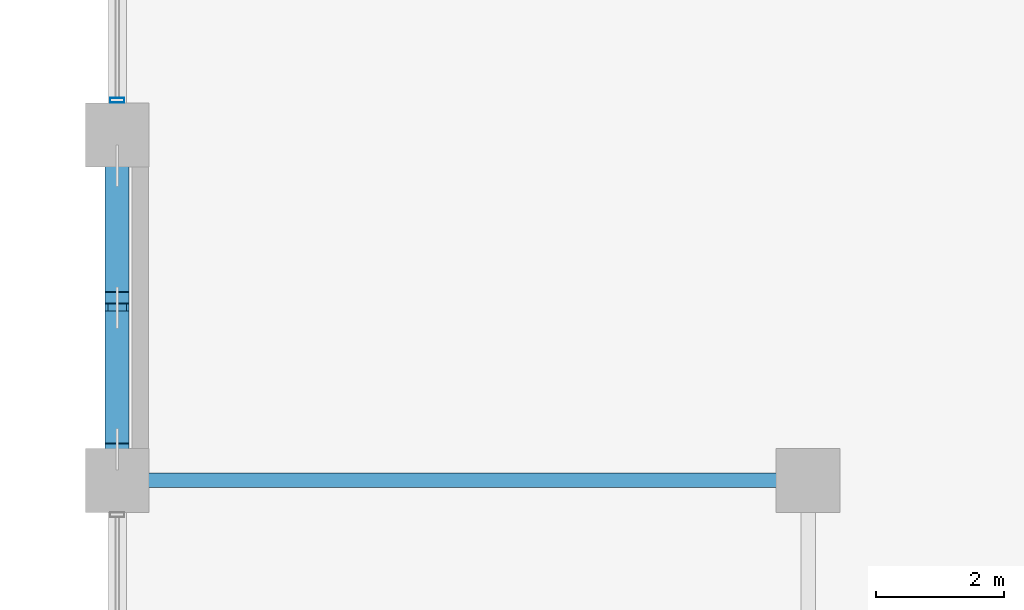
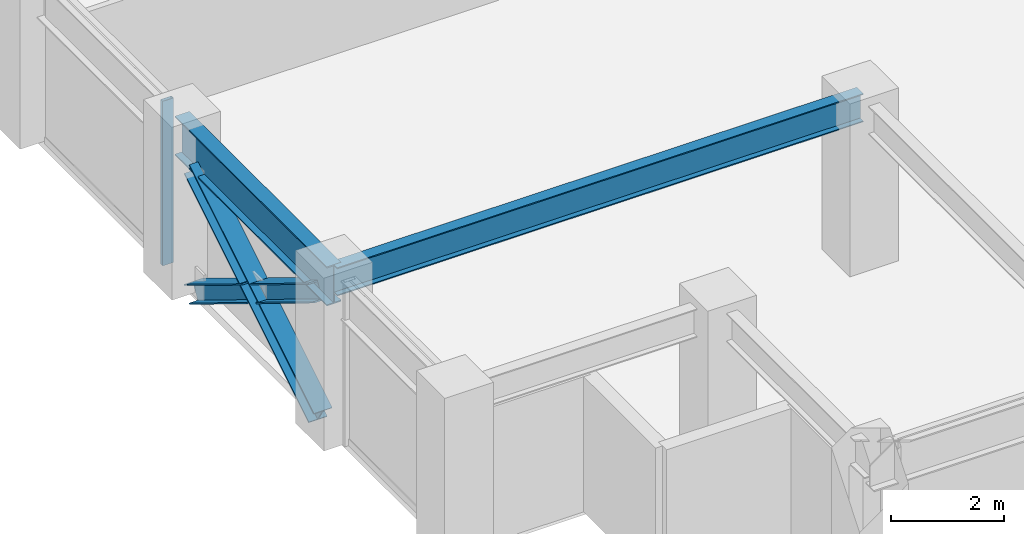
# One storey, part 3 of 25: 4 members, 2 beams, 1 element without a shape of its own.
"""IFC4 building model written with IfcOpenShell, lengths in metres."""

from ifc_helpers import new_model, si_unit, direction, frame, origin, origin_2d, place, context, subcontext, project, spatial, hollow_rectangle, i_section, extrude, material, layer, layer_set, material_profile, profile_set, type_object, element, aggregate, save


model = new_model("IFC4")

# Units and contexts
model_context = context("Model", 3, precision=1e-05, world=origin(), true_north=direction((0.0, 1.0)))
body_context = subcontext(model_context, "Body", "Model", "MODEL_VIEW")
ifc_project = project(units=[si_unit("LENGTHUNIT", "METRE"), si_unit("AREAUNIT", "SQUARE_METRE"), si_unit("VOLUMEUNIT", "CUBIC_METRE"), si_unit("PLANEANGLEUNIT", "RADIAN"), si_unit("MASSUNIT", "GRAM", prefix="KILO")], contexts=[model_context])

# Site, building, storey
site_placement = place(None, origin())
site = spatial("IfcSite", under=ifc_project, at=site_placement, CompositionType="ELEMENT")
building_placement = place(site_placement, origin())
building = spatial("IfcBuilding", under=site, at=building_placement, Name="Surkhivell Harbour Commons", CompositionType="ELEMENT")
storey_placement = place(building_placement, frame((0.0, 0.0, 139.5)))
storey = spatial("IfcBuildingStorey", under=building, at=storey_placement, Name="L36", CompositionType="ELEMENT", Elevation=139.5)

# Beams
ifc_material_1 = material(Name="Steel S355", Category="steel")
ifc_material_profile_1 = material_profile(ifc_material_1, i_section(OverallWidth=0.22998046875, OverallDepth=0.616943359375, WebThickness=0.01318359375, FlangeThickness=0.022216796875, at=origin_2d()), Name="UB610x229x140")
ifc_profile_set_1 = profile_set([ifc_material_profile_1], Name="Steel S355")
beam_type_1 = type_object("IfcBeamType", Name="BM-GRD-610B", PredefinedType="BEAM", material=ifc_profile_set_1)
beam_1_placement = place(storey_placement, frame((-32.39990234375, -16.199951171875, 3.261474609375), z_axis=(1.0, 0.0, 0.0), x_axis=(0.0, 1.0, 0.0)))
element("IfcBeam", 1, at=beam_1_placement, inside=storey, type_object=beam_type_1, Name="L36 Floor Girder (-32.4,-16.2)", PredefinedType="BEAM", context=body_context, shape_type="SweptSolid", body=[
    extrude(i_section(OverallWidth=0.22998046875, OverallDepth=0.616943359375, WebThickness=0.01318359375, FlangeThickness=0.022216796875, at=origin_2d()), origin(), (0.0, 0.0, 1.0), 10.7998046875),
])
ifc_material_2 = material(Name="Steel S460", Category="steel")
ifc_material_profile_2 = material_profile(ifc_material_2, i_section(OverallWidth=0.2939453125, OverallDepth=0.85107421875, WebThickness=0.01611328125, FlangeThickness=0.02685546875, at=origin_2d()), Name="UB838x292x226")
ifc_profile_set_2 = profile_set([ifc_material_profile_2], Name="Steel S460")
beam_type_2 = type_object("IfcBeamType", Name="BM-SPN-838", PredefinedType="SPANDREL", material=ifc_profile_set_2)
beam_2_placement = place(storey_placement, frame((-32.39990234375, -16.199951171875, 3.14453125), z_axis=(0.0, 1.0, 0.0), x_axis=(-1.0, 0.0, 0.0)))
element("IfcBeam", 2, at=beam_2_placement, inside=storey, type_object=beam_type_2, Name="L36 Tube Spandrel (-32.4,-16.2)", PredefinedType="SPANDREL", context=body_context, shape_type="SweptSolid", body=[
    extrude(i_section(OverallWidth=0.2939453125, OverallDepth=0.85107421875, WebThickness=0.01611328125, FlangeThickness=0.02685546875, at=origin_2d()), origin(), (0.0, 0.0, 1.0), 5.39990234375),
])

# Curtain wall, member
ifc_material_3 = material(Name="Anodised pale-metal aluminium and insulated glazing", Category="aluminium")
ifc_layer = layer(ifc_material_3, 0.205078125)
ifc_layer_set = layer_set([ifc_layer], Name="Anodised pale-metal aluminium and insulated glazing")
curtain_wall_type = type_object("IfcCurtainWallType", Name="CW-SYS-Z2", PredefinedType="NOTDEFINED", material=ifc_layer_set)
curtain_wall_placement = place(storey_placement, origin())
curtain_wall = element("IfcCurtainWall", 3, at=curtain_wall_placement, inside=storey, type_object=curtain_wall_type, Name="L36 Curtain Wall CW-L36-E12R1S2", PredefinedType="NOTDEFINED")
ifc_material_4 = material(Name="Anodised pale-metal aluminium alloy 6063-T6", Category="aluminium")
ifc_material_profile_3 = material_profile(ifc_material_4, hollow_rectangle(XDim=0.074951171875, YDim=0.219970703125, WallThickness=0.00390625, at=origin_2d()), Name="ALU-MULL-75x220")
ifc_profile_set_3 = profile_set([ifc_material_profile_3], Name="Anodised pale-metal aluminium alloy 6063-T6")
member_type_1 = type_object("IfcMemberType", Name="CWM-220", PredefinedType="MULLION", material=ifc_profile_set_3)
member_1_placement = place(storey_placement, frame((-32.39990234375, -10.260498046875, 0.0), z_axis=(0.0, 0.0, 1.0), x_axis=(0.0, 1.0, 0.0)))
member_1 = element("IfcMember", 4, at=member_1_placement, type_object=member_type_1, Name="CW-Z2 mullion 1", PredefinedType="MULLION", context=body_context, shape_type="SweptSolid", body=[
    extrude(hollow_rectangle(XDim=0.074951171875, YDim=0.219970703125, WallThickness=0.00390625, at=origin_2d()), origin(), (0.0, 0.0, 1.0), 3.570068359375),
])
aggregate(curtain_wall, [member_1])

# Members
ifc_material_profile_4 = material_profile(ifc_material_2, i_section(OverallWidth=0.375, OverallDepth=0.375, WebThickness=0.0166015625, FlangeThickness=0.027099609375, at=origin_2d()), Name="UC356x368x202")
ifc_profile_set_4 = profile_set([ifc_material_profile_4], Name="Steel S460")
member_type_2 = type_object("IfcMemberType", Name="MEM-BRC-UC356", PredefinedType="BRACE", material=ifc_profile_set_4)
member_2_placement = place(storey_placement, frame((-32.39990234375, -15.715087890625, 0.008056640625), z_axis=(0.0, 0.852637717293, 0.522502557936), x_axis=(-1.0, 0.0, 0.0)))
element("IfcMember", 5, at=member_2_placement, inside=storey, type_object=member_type_2, Name="L36 Perimeter Mega-Brace MB- 10", PredefinedType="BRACE", context=body_context, shape_type="SweptSolid", body=[
    extrude(i_section(OverallWidth=0.375, OverallDepth=0.375, WebThickness=0.0166015625, FlangeThickness=0.027099609375, at=origin_2d()), origin(), (0.0, 0.0, 1.0), 5.19580078125),
])
member_3_placement = place(storey_placement, frame((-32.39990234375, -11.284912109375, 0.008056640625), z_axis=(0.0, -0.852617215241, 0.52253601242), x_axis=(1.0, 0.0, 0.0)))
element("IfcMember", 6, at=member_3_placement, inside=storey, type_object=member_type_2, Name="L36 Perimeter Mega-Brace MB- 11", PredefinedType="BRACE", context=body_context, shape_type="SweptSolid", body=[
    extrude(i_section(OverallWidth=0.375, OverallDepth=0.375, WebThickness=0.0166015625, FlangeThickness=0.027099609375, at=origin_2d()), origin(), (0.0, 0.0, 1.0), 2.41796875),
])
member_4_placement = place(storey_placement, frame((-32.39990234375, -13.653564453125, 1.459716796875), z_axis=(0.0, -0.852662200332, 0.522462603567), x_axis=(1.0, 0.0, 0.0)))
element("IfcMember", 7, at=member_4_placement, inside=storey, type_object=member_type_2, Name="L36 Perimeter Mega-Brace MB- 12", PredefinedType="BRACE", context=body_context, shape_type="SweptSolid", body=[
    extrude(i_section(OverallWidth=0.375, OverallDepth=0.375, WebThickness=0.0166015625, FlangeThickness=0.027099609375, at=origin_2d()), origin(), (0.0, 0.0, 1.0), 2.417724609375),
])

save(model, "model.ifc")
